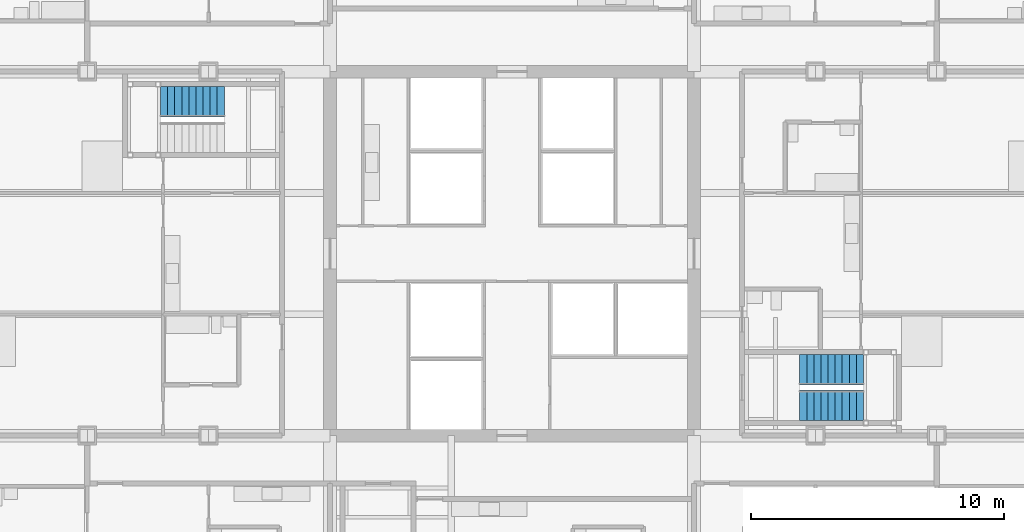
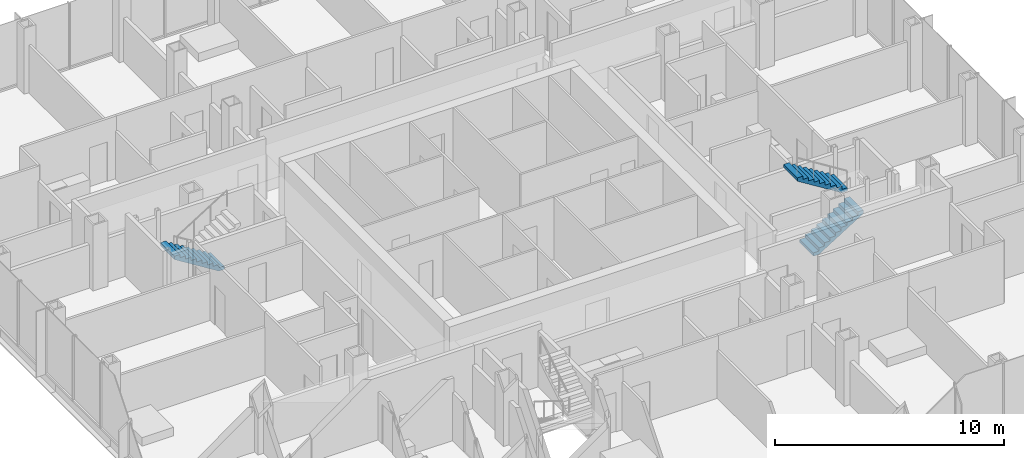
# One storey, part 18 of 21: 3 stair flights, 2 elements without a shape of their own.
"""IFC4 building model written with IfcOpenShell, lengths in metres."""

import ifcopenshell
import ifcopenshell.guid

model = None  # the IFC model being written
_history = None  # IfcOwnerHistory: only IFC2X3 demands one
_inside = {}  # id of a spatial element -> (the spatial element, [elements in it])
_under = {}  # id of a project, library or spatial element -> (it, [spatial elements below it])
_declared = {}  # id of a project -> (the project, [libraries it declares])
_typed = {}  # id of a type object -> (the type object, [elements of that type])
_made_of = {}  # id of a material, layer set ... -> (it, [elements and type objects made of it])


def new_model(schema):
    """Start an empty IFC model of exactly this schema.

    Asked for "IFC4X3", IfcOpenShell would pick the latest addendum, in which some entities
    have other attributes; the version numbers below select the first issue.
    IFC2X3 requires an IfcOwnerHistory on every rooted entity: one is made here for all.
    """
    global model, _history
    if schema == "IFC4X3":
        model = ifcopenshell.file(schema_version=(4, 3, 0, 0))
    else:
        model = ifcopenshell.file(schema=schema)
    _inside.clear()
    _under.clear()
    _declared.clear()
    _typed.clear()
    _made_of.clear()
    _history = None
    if model.schema == "IFC2X3":
        org = make("IfcOrganization", Name="unknown")
        user = make(
            "IfcPersonAndOrganization",
            ThePerson=make("IfcPerson", FamilyName="unknown"),
            TheOrganization=org,
        )
        app = make(
            "IfcApplication",
            ApplicationDeveloper=org,
            Version="unknown",
            ApplicationFullName="unknown",
            ApplicationIdentifier="unknown",
        )
        _history = make(
            "IfcOwnerHistory",
            OwningUser=user,
            OwningApplication=app,
            ChangeAction="ADDED",
            CreationDate=0,
        )
    return model


def make(cls, **values):
    """One entity of the class cls with the attributes given. An attribute that is None is left unset."""
    return model.create_entity(
        cls, **{name: value for name, value in values.items() if value is not None}
    )


def rooted(cls, **values):
    """An entity with a GlobalId (a new one), such as an element, a storey or a relation."""
    return make(cls, GlobalId=ifcopenshell.guid.new(), OwnerHistory=_history, **values)


def si_unit(unit_type, name, prefix=None):
    """IfcSIUnit, for example si_unit("LENGTHUNIT", "METRE", prefix="MILLI")."""
    return make("IfcSIUnit", UnitType=unit_type, Prefix=prefix, Name=name)


def assignment(units):
    """IfcUnitAssignment: the units of a project."""
    return None if units is None else make("IfcUnitAssignment", Units=units)


def point(xyz):
    """IfcCartesianPoint."""
    return None if xyz is None else make("IfcCartesianPoint", Coordinates=xyz)


def direction(xyz):
    """IfcDirection."""
    return None if xyz is None else make("IfcDirection", DirectionRatios=xyz)


def frame(location, z_axis=None, x_axis=None):
    """IfcAxis2Placement3D, a coordinate frame: its origin and axes. An axis left out is left unset."""
    return make(
        "IfcAxis2Placement3D",
        Location=point(location),
        Axis=direction(z_axis),
        RefDirection=direction(x_axis),
    )


def origin():
    """The frame at (0, 0, 0) with its axes left unset."""
    return frame((0.0, 0.0, 0.0))


def place(relative_to, where):
    """IfcLocalPlacement: puts the frame where relative to a parent placement (None: the world)."""
    return make(
        "IfcLocalPlacement", PlacementRelTo=relative_to, RelativePlacement=where
    )


def context(
    kind, dimensions, precision=None, world=None, true_north=None, identifier=None
):
    """IfcGeometricRepresentationContext, for example the 3D "Model" context."""
    return make(
        "IfcGeometricRepresentationContext",
        ContextIdentifier=identifier,
        ContextType=kind,
        CoordinateSpaceDimension=dimensions,
        Precision=precision,
        WorldCoordinateSystem=world,
        TrueNorth=true_north,
    )


def subcontext(parent, identifier, kind, view, scale=None):
    """IfcGeometricRepresentationSubContext, for example "Body" below "Model"."""
    return make(
        "IfcGeometricRepresentationSubContext",
        ContextIdentifier=identifier,
        ContextType=kind,
        ParentContext=parent,
        TargetScale=scale,
        TargetView=view,
    )


def project(units=None, contexts=None):
    """IfcProject with its units and contexts."""
    return rooted(
        "IfcProject",
        Name="project",
        RepresentationContexts=contexts,
        UnitsInContext=assignment(units),
    )


def spatial(cls, under=None, at=None, **own):
    """A site, building, storey or space (cls), placed at a placement, below another one or the project."""
    s = rooted(cls, ObjectPlacement=at, **own)
    if under is not None:
        _under.setdefault(under.id(), (under, []))[1].append(s)
    return s


def polyline(points):
    """IfcPolyline through the points."""
    return make("IfcPolyline", Points=[point(p) for p in points])


def outline(outer, holes=None, kind="AREA"):
    """IfcArbitraryClosedProfileDef: a profile drawn as a closed curve; with holes, ...WithVoids."""
    if holes is None:
        return make("IfcArbitraryClosedProfileDef", ProfileType=kind, OuterCurve=outer)
    return make(
        "IfcArbitraryProfileDefWithVoids",
        ProfileType=kind,
        OuterCurve=outer,
        InnerCurves=holes,
    )


def extrude(swept, where, along, depth):
    """IfcExtrudedAreaSolid: the profile swept, set in the frame where, extruded along a direction by depth."""
    return make(
        "IfcExtrudedAreaSolid",
        SweptArea=swept,
        Position=where,
        ExtrudedDirection=direction(along),
        Depth=depth,
    )


def shape(context_of_items, identifier, shape_type, items):
    """IfcShapeRepresentation: the items that make up one representation, for example the "Body"."""
    return make(
        "IfcShapeRepresentation",
        ContextOfItems=context_of_items,
        RepresentationIdentifier=identifier,
        RepresentationType=shape_type,
        Items=items,
    )


def material(Name=None, Category=None):
    """IfcMaterial."""
    return make("IfcMaterial", Name=Name, Category=Category)


def made_of(thing, what):
    """Note that an element or type object is made of a material, layer set ...; save() writes the relation."""
    if what is not None:
        _made_of.setdefault(what.id(), (what, []))[1].append(thing)
    return thing


def type_object(cls, material=None, **own):
    """A type object (cls), such as IfcWallType, which elements share."""
    return made_of(rooted(cls, **own), material)


def element(
    cls,
    number,
    at=None,
    inside=None,
    cuts=None,
    type_object=None,
    material=None,
    context=None,
    identifier="Body",
    shape_type=None,
    held_by="IfcProductDefinitionShape",
    body=None,
    shapes=None,
    **own,
):
    """One element of the class cls, such as IfcWall. Its Tag is "e" and its number.

    at: its placement. inside: the storey or other place that contains it. cuts: it is an
    opening in that element (IfcRelVoidsElement). A single representation is given by context,
    identifier, shape_type and body (its items); several are given by shapes. held_by: the class
    of the entity that holds the representations. save() writes the other relations.
    """
    e = rooted(cls, Tag="e%d" % number, ObjectPlacement=at, **own)
    if body is not None:
        shapes = [shape(context, identifier, shape_type, body)]
    if shapes is not None:
        e.Representation = make(held_by, Representations=shapes)
    if inside is not None:
        _inside.setdefault(inside.id(), (inside, []))[1].append(e)
    if cuts is not None:
        rooted(
            "IfcRelVoidsElement", RelatingBuildingElement=cuts, RelatedOpeningElement=e
        )
    if type_object is not None:
        _typed.setdefault(type_object.id(), (type_object, []))[1].append(e)
    return made_of(e, material)


def aggregate(whole, parts):
    """IfcRelAggregates: a whole, such as a stair, and the parts it consists of."""
    return rooted("IfcRelAggregates", RelatingObject=whole, RelatedObjects=parts)


def save(model, path):
    """Write the relations noted so far, then the file.

    IfcRelAggregates (storeys below a building ...), IfcRelContainedInSpatialStructure (elements
    in a storey), IfcRelDefinesByType, IfcRelAssociatesMaterial and IfcRelDeclares: one each for
    every whole, place, type object, material and project.
    """
    for whole, parts in _under.values():
        aggregate(whole, parts)
    for where, things in _inside.values():
        rooted(
            "IfcRelContainedInSpatialStructure",
            RelatedElements=things,
            RelatingStructure=where,
        )
    for kind, things in _typed.values():
        rooted("IfcRelDefinesByType", RelatedObjects=things, RelatingType=kind)
    for what, things in _made_of.values():
        rooted("IfcRelAssociatesMaterial", RelatedObjects=things, RelatingMaterial=what)
    for by, libraries in _declared.values():
        rooted("IfcRelDeclares", RelatingContext=by, RelatedDefinitions=libraries)
    model.write(path)


model = new_model("IFC4")

# Units and contexts
model_context = context("Model", 3, precision=1e-05, world=origin(), true_north=direction((0.0, 1.0)))
body_context = subcontext(model_context, "Body", "Model", "MODEL_VIEW")
ifc_project = project(units=[si_unit("LENGTHUNIT", "METRE"), si_unit("AREAUNIT", "SQUARE_METRE"), si_unit("VOLUMEUNIT", "CUBIC_METRE"), si_unit("PLANEANGLEUNIT", "RADIAN"), si_unit("MASSUNIT", "GRAM", prefix="KILO")], contexts=[model_context])

# Site, building, storey
site_placement = place(None, origin())
site = spatial("IfcSite", under=ifc_project, at=site_placement, CompositionType="ELEMENT")
building_placement = place(site_placement, origin())
building = spatial("IfcBuilding", under=site, at=building_placement, Name="Kvirike Care Tower", CompositionType="ELEMENT")
storey_placement = place(building_placement, frame((0.0, 0.0, 65.5)))
storey = spatial("IfcBuildingStorey", under=building, at=storey_placement, Name="L17", CompositionType="ELEMENT", Elevation=65.5)

# Stair, stair flight
ifc_material_1 = material(Name="Concrete C35/45", Category="concrete")
stair_type = type_object("IfcStairType", Name="STAIR 20 RISERS", PredefinedType="HALF_TURN_STAIR", material=ifc_material_1)
stair_1_placement = place(storey_placement, origin())
stair_1 = element("IfcStair", 1, at=stair_1_placement, inside=storey, type_object=stair_type, Name="Stair 1 L17", PredefinedType="HALF_TURN_STAIR")
ifc_material_2 = material(Name="Concrete C35/45", Category="concrete")
stair_flight_type = type_object("IfcStairFlightType", Name="FLIGHT 10 RISERS", PredefinedType="STRAIGHT", material=ifc_material_2)
stair_flight_1_placement = place(storey_placement, frame((10.219970703125, 42.0, 0.0), z_axis=(0.0, 0.0, 1.0), x_axis=(-1.0, 0.0, 0.0)))
stair_flight_1 = element("IfcStairFlight", 2, at=stair_flight_1_placement, type_object=stair_flight_type, Name="Stair S1 flight 1 L17-L18", NumberOfRisers=10, NumberOfTreads=9, PredefinedType="STRAIGHT", RiserHeight=0.175, TreadLength=0.28, context=body_context, shape_type="SweptSolid", body=[
    extrude(outline(polyline([(0.0, 0.0), (0.0, 0.175048828125), (0.280029296875, 0.175048828125), (0.280029296875, 0.35009765625), (0.56005859375, 0.35009765625), (0.56005859375, 0.52490234375), (0.840087890625, 0.52490234375), (0.840087890625, 0.699951171875), (1.1201171875, 0.699951171875), (1.1201171875, 0.875), (1.39990234375, 0.875), (1.39990234375, 1.050048828125), (1.679931640625, 1.050048828125), (1.679931640625, 1.22509765625), (1.9599609375, 1.22509765625), (1.9599609375, 1.39990234375), (2.239990234375, 1.39990234375), (2.239990234375, 1.574951171875), (2.52001953125, 1.574951171875), (2.52001953125, 1.75), (2.52001953125, 1.398193359375), (0.28271484375, 0.0), (0.0, 0.0)])), frame((0.0, 0.60009765625, 0.0), z_axis=(0.0, -1.0, 0.0), x_axis=(1.0, 0.0, 0.0)), (0.0, 0.0, 1.0), 1.199951171875),
])
aggregate(stair_1, [stair_flight_1])

# Stair, stair flights
stair_2_placement = place(storey_placement, origin())
stair_2 = element("IfcStair", 3, at=stair_2_placement, inside=storey, type_object=stair_type, Name="Stair 2 L17", PredefinedType="HALF_TURN_STAIR")
stair_flight_2_placement = place(storey_placement, frame((32.97998046875, 30.0, 0.0), z_axis=(0.0, 0.0, 1.0), x_axis=(1.0, 0.0, 0.0)))
stair_flight_2 = element("IfcStairFlight", 4, at=stair_flight_2_placement, type_object=stair_flight_type, Name="Stair S2 flight 1 L17-L18", NumberOfRisers=10, NumberOfTreads=9, PredefinedType="STRAIGHT", RiserHeight=0.175, TreadLength=0.28, context=body_context, shape_type="SweptSolid", body=[
    extrude(outline(polyline([(0.0, 0.0), (0.0, 0.175048828125), (0.280029296875, 0.175048828125), (0.280029296875, 0.35009765625), (0.56005859375, 0.35009765625), (0.56005859375, 0.52490234375), (0.840087890625, 0.52490234375), (0.840087890625, 0.699951171875), (1.1201171875, 0.699951171875), (1.1201171875, 0.875), (1.39990234375, 0.875), (1.39990234375, 1.050048828125), (1.679931640625, 1.050048828125), (1.679931640625, 1.22509765625), (1.9599609375, 1.22509765625), (1.9599609375, 1.39990234375), (2.239990234375, 1.39990234375), (2.239990234375, 1.574951171875), (2.52001953125, 1.574951171875), (2.52001953125, 1.75), (2.52001953125, 1.398193359375), (0.28271484375, 0.0), (0.0, 0.0)])), frame((0.0, 0.60009765625, 0.0), z_axis=(0.0, -1.0, 0.0), x_axis=(1.0, 0.0, 0.0)), (0.0, 0.0, 1.0), 1.199951171875),
])
stair_flight_3_placement = place(storey_placement, frame((35.5, 31.39990234375, 1.75), z_axis=(0.0, 0.0, 1.0), x_axis=(-1.0, 0.0, 0.0)))
stair_flight_3 = element("IfcStairFlight", 5, at=stair_flight_3_placement, type_object=stair_flight_type, Name="Stair S2 flight 2 L17-L18", NumberOfRisers=10, NumberOfTreads=9, PredefinedType="STRAIGHT", RiserHeight=0.175, TreadLength=0.28, context=body_context, shape_type="SweptSolid", body=[
    extrude(outline(polyline([(0.0, 0.0), (0.0, 0.175048828125), (0.280029296875, 0.175048828125), (0.280029296875, 0.35009765625), (0.56005859375, 0.35009765625), (0.56005859375, 0.52490234375), (0.840087890625, 0.52490234375), (0.840087890625, 0.699951171875), (1.1201171875, 0.699951171875), (1.1201171875, 0.875), (1.39990234375, 0.875), (1.39990234375, 1.050048828125), (1.679931640625, 1.050048828125), (1.679931640625, 1.22509765625), (1.9599609375, 1.22509765625), (1.9599609375, 1.39990234375), (2.239990234375, 1.39990234375), (2.239990234375, 1.574951171875), (2.52001953125, 1.574951171875), (2.52001953125, 1.75), (2.52001953125, 1.398193359375), (0.28271484375, 0.0), (0.0, 0.0)])), frame((0.0, 0.60009765625, 0.0), z_axis=(0.0, -1.0, 0.0), x_axis=(1.0, 0.0, 0.0)), (0.0, 0.0, 1.0), 1.199951171875),
])
aggregate(stair_2, [stair_flight_2, stair_flight_3])

save(model, "model.ifc")
